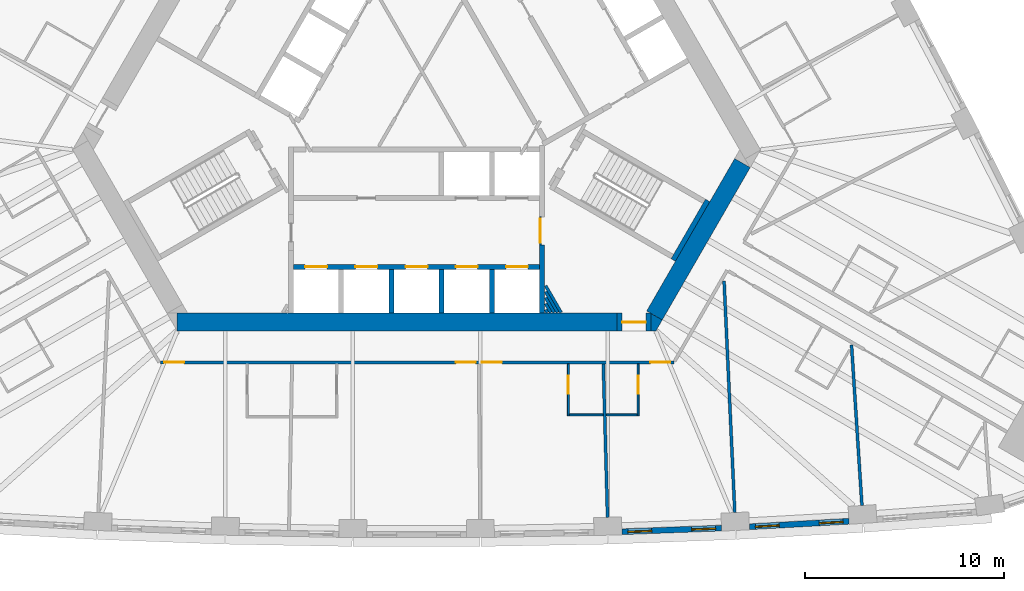
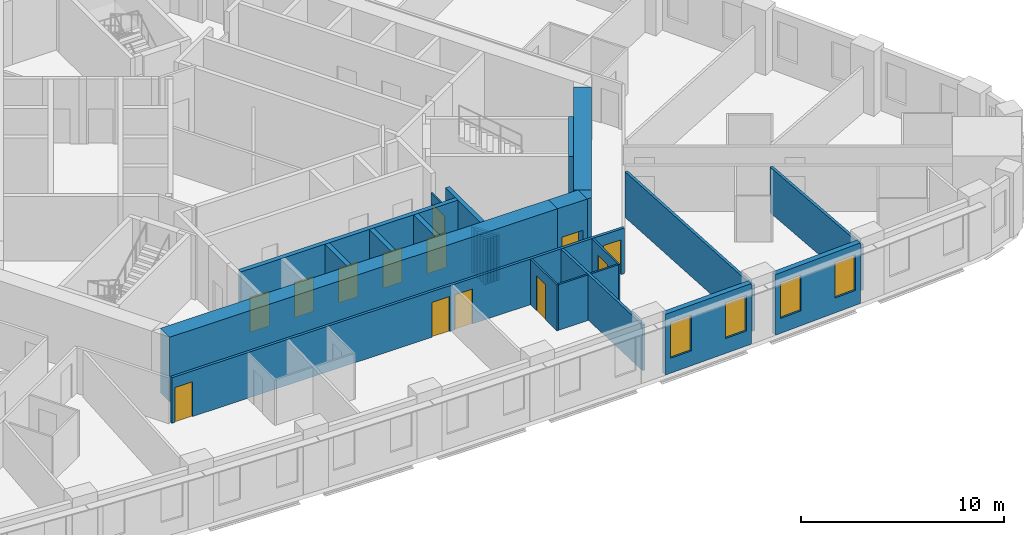
# One storey, part 6 of 13: 26 walls, 13 doors, 4 windows, 17 openings.
"""IFC4 building model written with IfcOpenShell, lengths in metres."""

from ifc_helpers import new_model, si_unit, direction, frame, frame_2d, origin, place, context, subcontext, project, spatial, polyline, rectangle, outline, extrude, material, layer, layer_set, type_object, element, fill, save


model = new_model("IFC4")

# Units and contexts
model_context = context("Model", 3, precision=1e-05, world=origin(), true_north=direction((0.0, 1.0)))
body_context = subcontext(model_context, "Body", "Model", "MODEL_VIEW")
ifc_project = project(units=[si_unit("LENGTHUNIT", "METRE"), si_unit("AREAUNIT", "SQUARE_METRE"), si_unit("VOLUMEUNIT", "CUBIC_METRE"), si_unit("PLANEANGLEUNIT", "RADIAN"), si_unit("MASSUNIT", "GRAM", prefix="KILO")], contexts=[model_context])

# Site, building, storey
site_placement = place(None, origin())
site = spatial("IfcSite", under=ifc_project, at=site_placement, CompositionType="ELEMENT")
building_placement = place(site_placement, origin())
building = spatial("IfcBuilding", under=site, at=building_placement, Name="Mestral Congress Tower", CompositionType="ELEMENT")
storey_placement = place(building_placement, frame((0.0, 0.0, 51.0)))
storey = spatial("IfcBuildingStorey", under=building, at=storey_placement, Name="L11", CompositionType="ELEMENT", Elevation=51.0)

# Walls
ifc_material_1 = material(Name="Fire-rated board partition")
ifc_layer_1 = layer(ifc_material_1, 0.14990234375)
ifc_layer_set_1 = layer_set([ifc_layer_1], Name="Fire-rated board partition")
wall_type_1 = type_object("IfcWallType", Name="Core partition 150", PredefinedType="PARTITIONING", material=ifc_layer_set_1)
wall_1_placement = place(storey_placement, frame((6.47998046875, -10.7255859375, 0.0), z_axis=(0.0, 0.0, 1.0), x_axis=(0.500017819788, -0.86601511528, 0.0)))
element("IfcWall", 1, at=wall_1_placement, inside=storey, type_object=wall_type_1, Name="L11 core wall", PredefinedType="PARTITIONING", context=body_context, shape_type="SweptSolid", body=[
    extrude(rectangle(XDim=1.55029296875, YDim=0.14990234375, at=frame_2d((0.775146484375, 0.0))), origin(), (0.0, 0.0, 1.0), 2.75),
])
wall_2_placement = place(storey_placement, frame((6.47998046875, -11.025634765625, 0.0), z_axis=(0.0, 0.0, 1.0), x_axis=(0.49995654735, -0.86605048973, 0.0)))
element("IfcWall", 2, at=wall_2_placement, inside=storey, type_object=wall_type_1, Name="L11 core wall", PredefinedType="PARTITIONING", context=body_context, shape_type="SweptSolid", body=[
    extrude(rectangle(XDim=1.20361328125, YDim=0.14990234375, at=frame_2d((0.601806640625, 0.0))), origin(), (0.0, 0.0, 1.0), 2.75),
])
wall_3_placement = place(storey_placement, frame((6.47998046875, -11.32568359375, 0.0), z_axis=(0.0, 0.0, 1.0), x_axis=(0.500059337743, -0.865991142412, 0.0)))
element("IfcWall", 3, at=wall_3_placement, inside=storey, type_object=wall_type_1, Name="L11 core wall", PredefinedType="PARTITIONING", context=body_context, shape_type="SweptSolid", body=[
    extrude(rectangle(XDim=0.857421875, YDim=0.14990234375, at=frame_2d((0.4287109375, 0.0))), origin(), (0.0, 0.0, 1.0), 2.75),
])
wall_4_placement = place(storey_placement, frame((6.47998046875, -11.625732421875, 0.0), z_axis=(0.0, 0.0, 1.0), x_axis=(0.500301480982, -0.865851273677, 0.0)))
element("IfcWall", 4, at=wall_4_placement, inside=storey, type_object=wall_type_1, Name="L11 core wall", PredefinedType="PARTITIONING", context=body_context, shape_type="SweptSolid", body=[
    extrude(rectangle(XDim=0.510986328125, YDim=0.14990234375, at=frame_2d((0.25537109375, 0.0))), origin(), (0.0, 0.0, 1.0), 2.75),
])
wall_5_placement = place(storey_placement, frame((6.47998046875, -11.92578125, 0.0), z_axis=(0.0, 0.0, 1.0), x_axis=(0.500450775723, -0.86576499183, 0.0)))
element("IfcWall", 5, at=wall_5_placement, inside=storey, type_object=wall_type_1, Name="L11 core wall", PredefinedType="PARTITIONING", context=body_context, shape_type="SweptSolid", body=[
    extrude(rectangle(XDim=0.164306640625, YDim=0.14990234375, at=frame_2d((0.08203125, 0.0))), origin(), (0.0, 0.0, 1.0), 2.75),
])

# Wall, opening, door
ifc_layer_2 = layer(ifc_material_1, 0.090087890625)
ifc_layer_set_2 = layer_set([ifc_layer_2], Name="Fire-rated board partition")
wall_type_2 = type_object("IfcWallType", Name="Core partition 150 door-wall 90", PredefinedType="PARTITIONING", material=ifc_layer_set_2)
wall_6_placement = place(storey_placement, frame((6.219970703125, -7.266357421875, 0.0), z_axis=(0.0, 0.0, 1.0), x_axis=(0.0, -1.0, 0.0)))
wall_6 = element("IfcWall", 6, at=wall_6_placement, inside=storey, type_object=wall_type_2, Name="L11 door wall", PredefinedType="PARTITIONING", context=body_context, shape_type="SweptSolid", body=[
    extrude(rectangle(XDim=1.400146484375, YDim=0.090087890625, at=frame_2d((0.7001953125, 0.0))), origin(), (0.0, 0.0, 1.0), 2.75),
])
opening_1_placement = place(wall_6_placement, frame((0.10009765625, 0.0, 0.0)))
opening_1 = element("IfcOpeningElement", 7, at=opening_1_placement, cuts=wall_6, Name="Opening LB0-WL1", PredefinedType="OPENING", context=body_context, shape_type="SweptSolid", body=[
    extrude(rectangle(XDim=1.199951171875, YDim=2.10009765625, at=frame_2d((0.60009765625, 1.050048828125))), frame((0.0, 0.054931640625, 0.0), z_axis=(0.0, -1.0, 0.0), x_axis=(1.0, 0.0, 0.0)), (0.0, 0.0, 1.0), 0.110107421875),
])
ifc_material_2 = material(Name="Fire-rated steel door set", Category="steel")
door_type_1 = type_object("IfcDoorType", Name="Core door LB 1200x2100", OperationType="SINGLE_SWING_LEFT", PredefinedType="DOOR", material=ifc_material_2)
door_1_placement = place(opening_1_placement, origin())
door_1 = element("IfcDoor", 8, at=door_1_placement, inside=storey, type_object=door_type_1, Name="Door LB0-WL1", OperationType="SINGLE_SWING_LEFT", OverallHeight=2.10009765625, OverallWidth=1.199951171875, PredefinedType="DOOR", context=body_context, shape_type="SweptSolid", body=[
    extrude(rectangle(XDim=1.199951171875, YDim=2.10009765625, at=frame_2d((0.60009765625, 1.050048828125))), frame((0.0, 0.02490234375, 0.0), z_axis=(0.0, -1.0, 0.0), x_axis=(1.0, 0.0, 0.0)), (0.0, 0.0, 1.0), 0.050048828125),
])
fill(opening_1, door_1)

# Walls
ifc_material_3 = material(Name="Concrete C60/75", Category="concrete")
ifc_layer_3 = layer(ifc_material_3, 0.89990234375)
ifc_layer_set_3 = layer_set([ifc_layer_3], Name="Concrete C60/75")
wall_type_3 = type_object("IfcWallType", Name="Core wall RC 900", PredefinedType="SOLIDWALL", material=ifc_layer_set_3)
wall_7_placement = place(storey_placement, frame((11.943115234375, -12.214111328125, 0.0), z_axis=(0.0, 0.0, 1.0), x_axis=(0.49998092645, 0.866036415623, 0.0)))
element("IfcWall", 9, at=wall_7_placement, inside=storey, type_object=wall_type_3, Name="L11 core wall", PredefinedType="SOLIDWALL", context=body_context, shape_type="SweptSolid", body=[
    extrude(rectangle(XDim=8.830322265625, YDim=0.89990234375, at=frame_2d((4.4150390625, 0.0))), origin(), (0.0, 0.0, 1.0), 3.89990234375),
])
wall_8_placement = place(storey_placement, origin())
element("IfcWall", 10, at=wall_8_placement, inside=storey, type_object=wall_type_3, Name="L11 core wall", PredefinedType="SOLIDWALL", context=body_context, shape_type="SweptSolid", body=[
    extrude(outline(polyline([(12.0087890625, -13.0), (11.764404296875, -13.0), (11.764404296875, -12.11328125), (12.331787109375, -12.440673828125), (12.0087890625, -13.0)])), origin(), (0.0, 0.0, 1.0), 3.89990234375),
])
wall_9_placement = place(storey_placement, frame((-12.0185546875, -12.550048828125, 0.0), z_axis=(0.0, 0.0, 1.0), x_axis=(1.0, 0.0, 0.0)))
element("IfcWall", 11, at=wall_9_placement, inside=storey, type_object=wall_type_3, Name="L11 core wall", PredefinedType="SOLIDWALL", context=body_context, shape_type="SweptSolid", body=[
    extrude(rectangle(XDim=22.082763671875, YDim=0.89990234375, at=frame_2d((11.04150390625, 0.0))), origin(), (0.0, 0.0, 1.0), 3.89990234375),
])

# Wall, opening, door
wall_10_placement = place(storey_placement, frame((11.764404296875, -12.550048828125, 0.0), z_axis=(0.0, 0.0, 1.0), x_axis=(-1.0, 0.0, 0.0)))
wall_10 = element("IfcWall", 12, at=wall_10_placement, inside=storey, type_object=wall_type_3, Name="L11 door wall", PredefinedType="SOLIDWALL", context=body_context, shape_type="SweptSolid", body=[
    extrude(rectangle(XDim=1.699951171875, YDim=0.89990234375, at=frame_2d((0.85009765625, 0.0))), origin(), (0.0, 0.0, 1.0), 3.89990234375),
])
opening_2_placement = place(wall_10_placement, frame((0.25, 0.0, 0.0)))
opening_2 = element("IfcOpeningElement", 13, at=opening_2_placement, cuts=wall_10, Name="Opening XD1", PredefinedType="OPENING", context=body_context, shape_type="SweptSolid", body=[
    extrude(rectangle(XDim=1.199951171875, YDim=2.10009765625, at=frame_2d((0.60009765625, 1.050048828125))), frame((0.0, 0.4599609375, 0.0), z_axis=(0.0, -1.0, 0.0), x_axis=(1.0, 0.0, 0.0)), (0.0, 0.0, 1.0), 0.919921875),
])
door_type_2 = type_object("IfcDoorType", Name="Core door XD 1200x2100", OperationType="SINGLE_SWING_LEFT", PredefinedType="DOOR", material=ifc_material_2)
door_2_placement = place(opening_2_placement, origin())
door_2 = element("IfcDoor", 14, at=door_2_placement, inside=storey, type_object=door_type_2, Name="Door XD1", OperationType="SINGLE_SWING_LEFT", OverallHeight=2.10009765625, OverallWidth=1.199951171875, PredefinedType="DOOR", context=body_context, shape_type="SweptSolid", body=[
    extrude(rectangle(XDim=1.199951171875, YDim=2.10009765625, at=frame_2d((0.60009765625, 1.050048828125))), frame((0.0, 0.02490234375, 0.0), z_axis=(0.0, -1.0, 0.0), x_axis=(1.0, 0.0, 0.0)), (0.0, 0.0, 1.0), 0.050048828125),
])
fill(opening_2, door_2)

# Wall, openings, windows
ifc_material_4 = material(Name="Precast concrete C40/50 with limestone facing", Category="masonry")
ifc_layer_4 = layer(ifc_material_4, 0.2900390625)
ifc_layer_set_4 = layer_set([ifc_layer_4], Name="Precast concrete C40/50 with limestone facing")
wall_type_4 = type_object("IfcWallType", Name="Facade stone wall 290", PredefinedType="SOLIDWALL", material=ifc_layer_set_4)
wall_11_placement = place(storey_placement, frame((10.310302734375, -23.07373046875, 0.0), z_axis=(0.0, 0.0, 1.0), x_axis=(0.999317974969, 0.036926750529, 0.0)))
wall_11 = element("IfcWall", 15, at=wall_11_placement, inside=storey, type_object=wall_type_4, Name="Facade wall F0-06", PredefinedType="SOLIDWALL", context=body_context, shape_type="SweptSolid", body=[
    extrude(rectangle(XDim=4.998291015625, YDim=0.2900390625, at=frame_2d((2.4990234375, 0.0))), origin(), (0.0, 0.0, 1.0), 3.64990234375),
])
opening_3_placement = place(wall_11_placement, frame((0.297119140625, 0.0, 0.89990234375)))
opening_3 = element("IfcOpeningElement", 16, at=opening_3_placement, cuts=wall_11, Name="Opening W1", PredefinedType="OPENING", context=body_context, shape_type="SweptSolid", body=[
    extrude(rectangle(XDim=1.199951171875, YDim=2.14990234375, at=frame_2d((0.60009765625, 1.074951171875))), frame((0.0, 0.155029296875, 0.0), z_axis=(0.0, -1.0, 0.0), x_axis=(1.0, 0.0, 0.0)), (0.0, 0.0, 1.0), 0.31005859375),
])
opening_4_placement = place(wall_11_placement, frame((3.501220703125, 0.0, 0.89990234375)))
opening_4 = element("IfcOpeningElement", 17, at=opening_4_placement, cuts=wall_11, Name="Opening W1", PredefinedType="OPENING", context=body_context, shape_type="SweptSolid", body=[
    extrude(rectangle(XDim=1.199951171875, YDim=2.14990234375, at=frame_2d((0.60009765625, 1.074951171875))), frame((0.0, 0.155029296875, 0.0), z_axis=(0.0, -1.0, 0.0), x_axis=(1.0, 0.0, 0.0)), (0.0, 0.0, 1.0), 0.31005859375),
])
ifc_material_5 = material(Name="Clear low-emissivity double glazing", Category="glass")
window_type = type_object("IfcWindowType", Name="Facade punched window 1200 x 2150 sill 900", PartitioningType="DOUBLE_PANEL_VERTICAL", PredefinedType="WINDOW", material=ifc_material_5)
window_1_placement = place(opening_3_placement, origin())
window_1 = element("IfcWindow", 18, at=window_1_placement, inside=storey, type_object=window_type, Name="Window F0-06a", OverallHeight=2.14990234375, OverallWidth=1.199951171875, PartitioningType="DOUBLE_PANEL_VERTICAL", PredefinedType="WINDOW", context=body_context, shape_type="SweptSolid", body=[
    extrude(rectangle(XDim=1.199951171875, YDim=2.14990234375, at=frame_2d((0.60009765625, 1.074951171875))), frame((0.0, 0.01513671875, 0.0), z_axis=(0.0, -1.0, 0.0), x_axis=(1.0, 0.0, 0.0)), (0.0, 0.0, 1.0), 0.06005859375),
])
fill(opening_3, window_1)
window_2_placement = place(opening_4_placement, origin())
window_2 = element("IfcWindow", 19, at=window_2_placement, inside=storey, type_object=window_type, Name="Window F0-06b", OverallHeight=2.14990234375, OverallWidth=1.199951171875, PartitioningType="DOUBLE_PANEL_VERTICAL", PredefinedType="WINDOW", context=body_context, shape_type="SweptSolid", body=[
    extrude(rectangle(XDim=1.199951171875, YDim=2.14990234375, at=frame_2d((0.60009765625, 1.074951171875))), frame((0.0, 0.01513671875, 0.0), z_axis=(0.0, -1.0, 0.0), x_axis=(1.0, 0.0, 0.0)), (0.0, 0.0, 1.0), 0.06005859375),
])
fill(opening_4, window_2)

wall_12_placement = place(storey_placement, frame((16.7109375, -22.823974609375, 0.0), z_axis=(0.0, 0.0, 1.0), x_axis=(0.998464708705, 0.055391564976, 0.0)))
wall_12 = element("IfcWall", 20, at=wall_12_placement, inside=storey, type_object=wall_type_4, Name="Facade wall F0-07", PredefinedType="SOLIDWALL", context=body_context, shape_type="SweptSolid", body=[
    extrude(rectangle(XDim=4.998046875, YDim=0.2900390625, at=frame_2d((2.4990234375, 0.0))), origin(), (0.0, 0.0, 1.0), 3.64990234375),
])
opening_5_placement = place(wall_12_placement, frame((0.297119140625, 0.0, 0.89990234375)))
opening_5 = element("IfcOpeningElement", 21, at=opening_5_placement, cuts=wall_12, Name="Opening W1", PredefinedType="OPENING", context=body_context, shape_type="SweptSolid", body=[
    extrude(rectangle(XDim=1.199951171875, YDim=2.14990234375, at=frame_2d((0.60009765625, 1.074951171875))), frame((0.0, 0.155029296875, 0.0), z_axis=(0.0, -1.0, 0.0), x_axis=(1.0, 0.0, 0.0)), (0.0, 0.0, 1.0), 0.31005859375),
])
opening_6_placement = place(wall_12_placement, frame((3.501220703125, 0.0, 0.89990234375)))
opening_6 = element("IfcOpeningElement", 22, at=opening_6_placement, cuts=wall_12, Name="Opening W1", PredefinedType="OPENING", context=body_context, shape_type="SweptSolid", body=[
    extrude(rectangle(XDim=1.199951171875, YDim=2.14990234375, at=frame_2d((0.60009765625, 1.074951171875))), frame((0.0, 0.155029296875, 0.0), z_axis=(0.0, -1.0, 0.0), x_axis=(1.0, 0.0, 0.0)), (0.0, 0.0, 1.0), 0.31005859375),
])
window_3_placement = place(opening_5_placement, origin())
window_3 = element("IfcWindow", 23, at=window_3_placement, inside=storey, type_object=window_type, Name="Window F0-07a", OverallHeight=2.14990234375, OverallWidth=1.199951171875, PartitioningType="DOUBLE_PANEL_VERTICAL", PredefinedType="WINDOW", context=body_context, shape_type="SweptSolid", body=[
    extrude(rectangle(XDim=1.199951171875, YDim=2.14990234375, at=frame_2d((0.60009765625, 1.074951171875))), frame((0.0, 0.01513671875, 0.0), z_axis=(0.0, -1.0, 0.0), x_axis=(1.0, 0.0, 0.0)), (0.0, 0.0, 1.0), 0.06005859375),
])
fill(opening_5, window_3)
window_4_placement = place(opening_6_placement, origin())
window_4 = element("IfcWindow", 24, at=window_4_placement, inside=storey, type_object=window_type, Name="Window F0-07b", OverallHeight=2.14990234375, OverallWidth=1.199951171875, PartitioningType="DOUBLE_PANEL_VERTICAL", PredefinedType="WINDOW", context=body_context, shape_type="SweptSolid", body=[
    extrude(rectangle(XDim=1.199951171875, YDim=2.14990234375, at=frame_2d((0.60009765625, 1.074951171875))), frame((0.0, 0.01513671875, 0.0), z_axis=(0.0, -1.0, 0.0), x_axis=(1.0, 0.0, 0.0)), (0.0, 0.0, 1.0), 0.06005859375),
])
fill(opening_6, window_4)

# Wall, opening, door
ifc_material_6 = material(Name="Gypsum board partition on metal studs with mineral wool", Category="composite")
ifc_layer_5 = layer(ifc_material_6, 0.10009765625)
ifc_layer_set_5 = layer_set([ifc_layer_5], Name="Gypsum board partition on metal studs with mineral wool")
wall_type_5 = type_object("IfcWallType", Name="Hotel partition wall 100", PredefinedType="PARTITIONING", material=ifc_layer_set_5)
wall_13_placement = place(storey_placement, frame((7.619140625, -14.64990234375, 0.0), z_axis=(0.0, 0.0, 1.0), x_axis=(0.0, -1.0, 0.0)))
wall_13 = element("IfcWall", 25, at=wall_13_placement, inside=storey, type_object=wall_type_5, Name="L11-h-pod05a", PredefinedType="PARTITIONING", context=body_context, shape_type="SweptSolid", body=[
    extrude(rectangle(XDim=2.60009765625, YDim=0.10009765625, at=frame_2d((1.300048828125, 0.0))), origin(), (0.0, 0.0, 1.0), 2.75),
])
opening_7_placement = place(wall_13_placement, frame((0.60009765625, 0.0, 0.0)))
opening_7 = element("IfcOpeningElement", 26, at=opening_7_placement, cuts=wall_13, Name="Opening H03-010", PredefinedType="OPENING", context=body_context, shape_type="SweptSolid", body=[
    extrude(rectangle(XDim=0.89990234375, YDim=2.10009765625, at=frame_2d((0.449951171875, 1.050048828125))), frame((0.0, 0.06005859375, 0.0), z_axis=(0.0, -1.0, 0.0), x_axis=(1.0, 0.0, 0.0)), (0.0, 0.0, 1.0), 0.1201171875),
])
ifc_material_7 = material(Name="Timber veneer door leaf in timber frame", Category="wood")
door_type_3 = type_object("IfcDoorType", Name="Bathroom door 900", OperationType="SINGLE_SWING_LEFT", PredefinedType="DOOR", material=ifc_material_7)
door_3_placement = place(opening_7_placement, origin())
door_3 = element("IfcDoor", 27, at=door_3_placement, inside=storey, type_object=door_type_3, Name="L11-h-d010", OperationType="SINGLE_SWING_LEFT", OverallHeight=2.10009765625, OverallWidth=0.89990234375, PredefinedType="DOOR", context=body_context, shape_type="SweptSolid", body=[
    extrude(rectangle(XDim=0.89990234375, YDim=2.10009765625, at=frame_2d((0.449951171875, 1.050048828125))), frame((0.0, 0.02490234375, 0.0), z_axis=(0.0, -1.0, 0.0), x_axis=(1.0, 0.0, 0.0)), (0.0, 0.0, 1.0), 0.050048828125),
])
fill(opening_7, door_3)

# Wall
wall_14_placement = place(storey_placement, frame((7.669189453125, -17.199951171875, 0.0), z_axis=(0.0, 0.0, 1.0), x_axis=(1.0, 0.0, 0.0)))
element("IfcWall", 28, at=wall_14_placement, inside=storey, type_object=wall_type_5, Name="L11-h-pod05b", PredefinedType="PARTITIONING", context=body_context, shape_type="SweptSolid", body=[
    extrude(rectangle(XDim=1.68994140625, YDim=0.10009765625, at=frame_2d((0.844970703125, 0.0))), origin(), (0.0, 0.0, 1.0), 2.75),
])

# Wall, opening, door
wall_15_placement = place(storey_placement, frame((11.126708984375, -17.25, 0.0), z_axis=(0.0, 0.0, 1.0), x_axis=(0.0, 1.0, 0.0)))
wall_15 = element("IfcWall", 29, at=wall_15_placement, inside=storey, type_object=wall_type_5, Name="L11-h-pod06a", PredefinedType="PARTITIONING", context=body_context, shape_type="SweptSolid", body=[
    extrude(rectangle(XDim=2.60009765625, YDim=0.10009765625, at=frame_2d((1.300048828125, 0.0))), origin(), (0.0, 0.0, 1.0), 2.75),
])
opening_8_placement = place(wall_15_placement, frame((1.10009765625, 0.0, 0.0)))
opening_8 = element("IfcOpeningElement", 30, at=opening_8_placement, cuts=wall_15, Name="Opening H03-012", PredefinedType="OPENING", context=body_context, shape_type="SweptSolid", body=[
    extrude(rectangle(XDim=0.89990234375, YDim=2.10009765625, at=frame_2d((0.449951171875, 1.050048828125))), frame((0.0, 0.06005859375, 0.0), z_axis=(0.0, -1.0, 0.0), x_axis=(1.0, 0.0, 0.0)), (0.0, 0.0, 1.0), 0.1201171875),
])
door_4_placement = place(opening_8_placement, origin())
door_4 = element("IfcDoor", 31, at=door_4_placement, inside=storey, type_object=door_type_3, Name="L11-h-d012", OperationType="SINGLE_SWING_RIGHT", OverallHeight=2.10009765625, OverallWidth=0.89990234375, PredefinedType="DOOR", context=body_context, shape_type="SweptSolid", body=[
    extrude(rectangle(XDim=0.89990234375, YDim=2.10009765625, at=frame_2d((0.449951171875, 1.050048828125))), frame((0.0, 0.02490234375, 0.0), z_axis=(0.0, -1.0, 0.0), x_axis=(1.0, 0.0, 0.0)), (0.0, 0.0, 1.0), 0.050048828125),
])
fill(opening_8, door_4)

# Wall
wall_16_placement = place(storey_placement, frame((11.07666015625, -17.199951171875, 0.0), z_axis=(0.0, 0.0, 1.0), x_axis=(-1.0, 0.0, 0.0)))
element("IfcWall", 32, at=wall_16_placement, inside=storey, type_object=wall_type_5, Name="L11-h-pod06b", PredefinedType="PARTITIONING", context=body_context, shape_type="SweptSolid", body=[
    extrude(rectangle(XDim=1.550048828125, YDim=0.10009765625, at=frame_2d((0.77490234375, 0.0))), origin(), (0.0, 0.0, 1.0), 2.75),
])

# Wall, openings, doors
ifc_layer_6 = layer(ifc_material_6, 0.14990234375)
ifc_layer_set_6 = layer_set([ifc_layer_6], Name="Gypsum board partition on metal studs with mineral wool")
wall_type_6 = type_object("IfcWallType", Name="Hotel partition wall 150", PredefinedType="PARTITIONING", material=ifc_layer_set_6)
wall_17_placement = place(storey_placement, frame((12.918212890625, -14.574951171875, 0.0), z_axis=(0.0, 0.0, 1.0), x_axis=(-1.0, 0.0, 0.0)))
wall_17 = element("IfcWall", 33, at=wall_17_placement, inside=storey, type_object=wall_type_6, Name="L11-h-cw13", PredefinedType="PARTITIONING", context=body_context, shape_type="SweptSolid", body=[
    extrude(rectangle(XDim=25.766357421875, YDim=0.14990234375, at=frame_2d((12.88330078125, 0.0))), origin(), (0.0, 0.0, 1.0), 2.75),
])
opening_9_placement = place(wall_17_placement, frame((24.58642578125, 0.0, 0.0)))
opening_9 = element("IfcOpeningElement", 34, at=opening_9_placement, cuts=wall_17, Name="Opening H03-005", PredefinedType="OPENING", context=body_context, shape_type="SweptSolid", body=[
    extrude(rectangle(XDim=1.0, YDim=2.10009765625, at=frame_2d((0.5, 1.050048828125))), frame((0.0, 0.0849609375, 0.0), z_axis=(0.0, -1.0, 0.0), x_axis=(1.0, 0.0, 0.0)), (0.0, 0.0, 1.0), 0.169921875),
])
opening_10_placement = place(wall_17_placement, frame((9.947998046875, 0.0, 0.0)))
opening_10 = element("IfcOpeningElement", 35, at=opening_10_placement, cuts=wall_17, Name="Opening H03-007", PredefinedType="OPENING", context=body_context, shape_type="SweptSolid", body=[
    extrude(rectangle(XDim=1.0, YDim=2.10009765625, at=frame_2d((0.5, 1.050048828125))), frame((0.0, 0.0849609375, 0.0), z_axis=(0.0, -1.0, 0.0), x_axis=(1.0, 0.0, 0.0)), (0.0, 0.0, 1.0), 0.169921875),
])
opening_11_placement = place(wall_17_placement, frame((8.6416015625, 0.0, 0.0)))
opening_11 = element("IfcOpeningElement", 36, at=opening_11_placement, cuts=wall_17, Name="Opening H03-009", PredefinedType="OPENING", context=body_context, shape_type="SweptSolid", body=[
    extrude(rectangle(XDim=1.0, YDim=2.10009765625, at=frame_2d((0.5, 1.050048828125))), frame((0.0, 0.0849609375, 0.0), z_axis=(0.0, -1.0, 0.0), x_axis=(1.0, 0.0, 0.0)), (0.0, 0.0, 1.0), 0.169921875),
])
opening_12_placement = place(wall_17_placement, frame((0.179931640625, 0.0, 0.0)))
opening_12 = element("IfcOpeningElement", 37, at=opening_12_placement, cuts=wall_17, Name="Opening H03-011", PredefinedType="OPENING", context=body_context, shape_type="SweptSolid", body=[
    extrude(rectangle(XDim=1.0, YDim=2.10009765625, at=frame_2d((0.5, 1.050048828125))), frame((0.0, 0.0849609375, 0.0), z_axis=(0.0, -1.0, 0.0), x_axis=(1.0, 0.0, 0.0)), (0.0, 0.0, 1.0), 0.169921875),
])
ifc_material_8 = material(Name="Timber veneer door leaf in metal frame", Category="wood")
door_type_4 = type_object("IfcDoorType", Name="Guest room entrance door 1000", OperationType="SINGLE_SWING_LEFT", PredefinedType="DOOR", material=ifc_material_8)
door_5_placement = place(opening_9_placement, origin())
door_5 = element("IfcDoor", 38, at=door_5_placement, inside=storey, type_object=door_type_4, Name="L11-h-d005", OperationType="SINGLE_SWING_RIGHT", OverallHeight=2.10009765625, OverallWidth=1.0, PredefinedType="DOOR", context=body_context, shape_type="SweptSolid", body=[
    extrude(rectangle(XDim=1.0, YDim=2.10009765625, at=frame_2d((0.5, 1.050048828125))), frame((0.0, 0.02490234375, 0.0), z_axis=(0.0, -1.0, 0.0), x_axis=(1.0, 0.0, 0.0)), (0.0, 0.0, 1.0), 0.050048828125),
])
fill(opening_9, door_5)
door_6_placement = place(opening_10_placement, origin())
door_6 = element("IfcDoor", 39, at=door_6_placement, inside=storey, type_object=door_type_4, Name="L11-h-d007", OperationType="SINGLE_SWING_LEFT", OverallHeight=2.10009765625, OverallWidth=1.0, PredefinedType="DOOR", context=body_context, shape_type="SweptSolid", body=[
    extrude(rectangle(XDim=1.0, YDim=2.10009765625, at=frame_2d((0.5, 1.050048828125))), frame((0.0, 0.02490234375, 0.0), z_axis=(0.0, -1.0, 0.0), x_axis=(1.0, 0.0, 0.0)), (0.0, 0.0, 1.0), 0.050048828125),
])
fill(opening_10, door_6)
door_7_placement = place(opening_11_placement, origin())
door_7 = element("IfcDoor", 40, at=door_7_placement, inside=storey, type_object=door_type_4, Name="L11-h-d009", OperationType="SINGLE_SWING_RIGHT", OverallHeight=2.10009765625, OverallWidth=1.0, PredefinedType="DOOR", context=body_context, shape_type="SweptSolid", body=[
    extrude(rectangle(XDim=1.0, YDim=2.10009765625, at=frame_2d((0.5, 1.050048828125))), frame((0.0, 0.02490234375, 0.0), z_axis=(0.0, -1.0, 0.0), x_axis=(1.0, 0.0, 0.0)), (0.0, 0.0, 1.0), 0.050048828125),
])
fill(opening_11, door_7)
door_8_placement = place(opening_12_placement, origin())
door_8 = element("IfcDoor", 41, at=door_8_placement, inside=storey, type_object=door_type_4, Name="L11-h-d011", OperationType="SINGLE_SWING_LEFT", OverallHeight=2.10009765625, OverallWidth=1.0, PredefinedType="DOOR", context=body_context, shape_type="SweptSolid", body=[
    extrude(rectangle(XDim=1.0, YDim=2.10009765625, at=frame_2d((0.5, 1.050048828125))), frame((0.0, 0.02490234375, 0.0), z_axis=(0.0, -1.0, 0.0), x_axis=(1.0, 0.0, 0.0)), (0.0, 0.0, 1.0), 0.050048828125),
])
fill(opening_12, door_8)

# Walls
wall_18_placement = place(storey_placement, frame((9.586181640625, -22.34521484375, 0.0), z_axis=(0.0, 0.0, 1.0), x_axis=(-0.027722115646, 0.999615668297, 0.0)))
element("IfcWall", 42, at=wall_18_placement, inside=storey, type_object=wall_type_6, Name="L11-h-pw19", PredefinedType="PARTITIONING", context=body_context, shape_type="SweptSolid", body=[
    extrude(rectangle(XDim=7.688232421875, YDim=0.14990234375, at=frame_2d((3.84423828125, 0.0))), origin(), (0.0, 0.0, 1.0), 2.75),
])
wall_19_placement = place(storey_placement, frame((15.973388671875, -22.10888671875, 0.0), z_axis=(0.0, 0.0, 1.0), x_axis=(-0.046191717129, 0.998932592955, 0.0)))
element("IfcWall", 43, at=wall_19_placement, inside=storey, type_object=wall_type_6, Name="L11-h-pw22", PredefinedType="PARTITIONING", context=body_context, shape_type="SweptSolid", body=[
    extrude(rectangle(XDim=11.638427734375, YDim=0.14990234375, at=frame_2d((5.8193359375, 0.0))), origin(), (0.0, 0.0, 1.0), 2.75),
])
wall_20_placement = place(storey_placement, frame((22.355224609375, -21.75439453125, 0.0), z_axis=(0.0, 0.0, 1.0), x_axis=(-0.064639533143, 0.997908678565, 0.0)))
element("IfcWall", 44, at=wall_20_placement, inside=storey, type_object=wall_type_6, Name="L11-h-pw25", PredefinedType="PARTITIONING", context=body_context, shape_type="SweptSolid", body=[
    extrude(rectangle(XDim=8.078857421875, YDim=0.14990234375, at=frame_2d((4.03955078125, 0.0))), origin(), (0.0, 0.0, 1.0), 2.75),
])
ifc_layer_7 = layer(ifc_material_3, 0.25)
ifc_layer_set_7 = layer_set([ifc_layer_7], Name="Concrete C60/75")
wall_type_7 = type_object("IfcWallType", Name="Shaft wall RC 250", PredefinedType="SOLIDWALL", material=ifc_layer_set_7)
wall_21_placement = place(storey_placement, frame((6.300048828125, -12.10009765625, 0.0), z_axis=(0.0, 0.0, 1.0), x_axis=(0.0, 1.0, 0.0)))
element("IfcWall", 45, at=wall_21_placement, inside=storey, type_object=wall_type_7, Name="L11 core wall", PredefinedType="SOLIDWALL", context=body_context, shape_type="SweptSolid", body=[
    extrude(rectangle(XDim=3.427978515625, YDim=0.25, at=frame_2d((1.7138671875, 0.0))), origin(), (0.0, 0.0, 1.0), 3.89990234375),
])
for number, where, z_axis, x_axis, name in (
    (46, (3.780029296875, -12.10009765625, 0.0), (0.0, 0.0, 1.0), (0.0, 1.0, 0.0), "L11 core wall"),
    (47, (1.260009765625, -12.10009765625, 0.0), (0.0, 0.0, 1.0), (0.0, 1.0, 0.0), "L11 core wall"),
    (48, (-1.260009765625, -12.10009765625, 0.0), (0.0, 0.0, 1.0), (0.0, 1.0, 0.0), "L11 core wall"),
):
    element("IfcWall", number, at=place(storey_placement, frame(where, z_axis=z_axis, x_axis=x_axis)), inside=storey, type_object=wall_type_7, Name=name, PredefinedType="SOLIDWALL", context=body_context, shape_type="SweptSolid", body=[
        extrude(rectangle(XDim=2.199951171875, YDim=0.25, at=frame_2d((1.10009765625, 0.0))), origin(), (0.0, 0.0, 1.0), 3.89990234375),
    ])

# Wall, openings, doors
wall_22_placement = place(storey_placement, frame((-6.175048828125, -9.77490234375, 0.0), z_axis=(0.0, 0.0, 1.0), x_axis=(1.0, 0.0, 0.0)))
wall_22 = element("IfcWall", 49, at=wall_22_placement, inside=storey, type_object=wall_type_7, Name="L11 door wall", PredefinedType="SOLIDWALL", context=body_context, shape_type="SweptSolid", body=[
    extrude(rectangle(XDim=12.35009765625, YDim=0.25, at=frame_2d((6.175048828125, 0.0))), origin(), (0.0, 0.0, 1.0), 3.89990234375),
])
opening_13_placement = place(wall_22_placement, frame((0.5849609375, 0.0, 0.0)))
opening_13 = element("IfcOpeningElement", 50, at=opening_13_placement, cuts=wall_22, Name="Opening LD-SOA1", PredefinedType="OPENING", context=body_context, shape_type="SweptSolid", body=[
    extrude(rectangle(XDim=1.10009765625, YDim=2.10009765625, at=frame_2d((0.550048828125, 1.050048828125))), frame((0.0, 0.135009765625, 0.0), z_axis=(0.0, -1.0, 0.0), x_axis=(1.0, 0.0, 0.0)), (0.0, 0.0, 1.0), 0.27001953125),
])
opening_14_placement = place(wall_22_placement, frame((3.10498046875, 0.0, 0.0)))
opening_14 = element("IfcOpeningElement", 51, at=opening_14_placement, cuts=wall_22, Name="Opening LD-SOA2", PredefinedType="OPENING", context=body_context, shape_type="SweptSolid", body=[
    extrude(rectangle(XDim=1.10009765625, YDim=2.10009765625, at=frame_2d((0.550048828125, 1.050048828125))), frame((0.0, 0.135009765625, 0.0), z_axis=(0.0, -1.0, 0.0), x_axis=(1.0, 0.0, 0.0)), (0.0, 0.0, 1.0), 0.27001953125),
])
opening_15_placement = place(wall_22_placement, frame((5.625, 0.0, 0.0)))
opening_15 = element("IfcOpeningElement", 52, at=opening_15_placement, cuts=wall_22, Name="Opening LD-SOA3", PredefinedType="OPENING", context=body_context, shape_type="SweptSolid", body=[
    extrude(rectangle(XDim=1.10009765625, YDim=2.10009765625, at=frame_2d((0.550048828125, 1.050048828125))), frame((0.0, 0.135009765625, 0.0), z_axis=(0.0, -1.0, 0.0), x_axis=(1.0, 0.0, 0.0)), (0.0, 0.0, 1.0), 0.27001953125),
])
opening_16_placement = place(wall_22_placement, frame((8.14501953125, 0.0, 0.0)))
opening_16 = element("IfcOpeningElement", 53, at=opening_16_placement, cuts=wall_22, Name="Opening LD-SOA4", PredefinedType="OPENING", context=body_context, shape_type="SweptSolid", body=[
    extrude(rectangle(XDim=1.10009765625, YDim=2.10009765625, at=frame_2d((0.550048828125, 1.050048828125))), frame((0.0, 0.135009765625, 0.0), z_axis=(0.0, -1.0, 0.0), x_axis=(1.0, 0.0, 0.0)), (0.0, 0.0, 1.0), 0.27001953125),
])
opening_17_placement = place(wall_22_placement, frame((10.6650390625, 0.0, 0.0)))
opening_17 = element("IfcOpeningElement", 54, at=opening_17_placement, cuts=wall_22, Name="Opening LD-SOA5", PredefinedType="OPENING", context=body_context, shape_type="SweptSolid", body=[
    extrude(rectangle(XDim=1.10009765625, YDim=2.10009765625, at=frame_2d((0.550048828125, 1.050048828125))), frame((0.0, 0.135009765625, 0.0), z_axis=(0.0, -1.0, 0.0), x_axis=(1.0, 0.0, 0.0)), (0.0, 0.0, 1.0), 0.27001953125),
])
door_type_5 = type_object("IfcDoorType", Name="Core door LD 1100x2100", OperationType="DOUBLE_DOOR_SLIDING", PredefinedType="DOOR", material=ifc_material_2)
door_9_placement = place(opening_13_placement, origin())
door_9 = element("IfcDoor", 55, at=door_9_placement, inside=storey, type_object=door_type_5, Name="Door LD-SOA1", OperationType="DOUBLE_DOOR_SLIDING", OverallHeight=2.10009765625, OverallWidth=1.10009765625, PredefinedType="DOOR", context=body_context, shape_type="SweptSolid", body=[
    extrude(rectangle(XDim=1.10009765625, YDim=2.10009765625, at=frame_2d((0.550048828125, 1.050048828125))), frame((0.0, 0.02490234375, 0.0), z_axis=(0.0, -1.0, 0.0), x_axis=(1.0, 0.0, 0.0)), (0.0, 0.0, 1.0), 0.050048828125),
])
fill(opening_13, door_9)
door_10_placement = place(opening_14_placement, origin())
door_10 = element("IfcDoor", 56, at=door_10_placement, inside=storey, type_object=door_type_5, Name="Door LD-SOA2", OperationType="DOUBLE_DOOR_SLIDING", OverallHeight=2.10009765625, OverallWidth=1.10009765625, PredefinedType="DOOR", context=body_context, shape_type="SweptSolid", body=[
    extrude(rectangle(XDim=1.10009765625, YDim=2.10009765625, at=frame_2d((0.550048828125, 1.050048828125))), frame((0.0, 0.02490234375, 0.0), z_axis=(0.0, -1.0, 0.0), x_axis=(1.0, 0.0, 0.0)), (0.0, 0.0, 1.0), 0.050048828125),
])
fill(opening_14, door_10)
door_11_placement = place(opening_15_placement, origin())
door_11 = element("IfcDoor", 57, at=door_11_placement, inside=storey, type_object=door_type_5, Name="Door LD-SOA3", OperationType="DOUBLE_DOOR_SLIDING", OverallHeight=2.10009765625, OverallWidth=1.10009765625, PredefinedType="DOOR", context=body_context, shape_type="SweptSolid", body=[
    extrude(rectangle(XDim=1.10009765625, YDim=2.10009765625, at=frame_2d((0.550048828125, 1.050048828125))), frame((0.0, 0.02490234375, 0.0), z_axis=(0.0, -1.0, 0.0), x_axis=(1.0, 0.0, 0.0)), (0.0, 0.0, 1.0), 0.050048828125),
])
fill(opening_15, door_11)
door_12_placement = place(opening_16_placement, origin())
door_12 = element("IfcDoor", 58, at=door_12_placement, inside=storey, type_object=door_type_5, Name="Door LD-SOA4", OperationType="DOUBLE_DOOR_SLIDING", OverallHeight=2.10009765625, OverallWidth=1.10009765625, PredefinedType="DOOR", context=body_context, shape_type="SweptSolid", body=[
    extrude(rectangle(XDim=1.10009765625, YDim=2.10009765625, at=frame_2d((0.550048828125, 1.050048828125))), frame((0.0, 0.02490234375, 0.0), z_axis=(0.0, -1.0, 0.0), x_axis=(1.0, 0.0, 0.0)), (0.0, 0.0, 1.0), 0.050048828125),
])
fill(opening_16, door_12)
door_13_placement = place(opening_17_placement, origin())
door_13 = element("IfcDoor", 59, at=door_13_placement, inside=storey, type_object=door_type_5, Name="Door LD-SOA5", OperationType="DOUBLE_DOOR_SLIDING", OverallHeight=2.10009765625, OverallWidth=1.10009765625, PredefinedType="DOOR", context=body_context, shape_type="SweptSolid", body=[
    extrude(rectangle(XDim=1.10009765625, YDim=2.10009765625, at=frame_2d((0.550048828125, 1.050048828125))), frame((0.0, 0.02490234375, 0.0), z_axis=(0.0, -1.0, 0.0), x_axis=(1.0, 0.0, 0.0)), (0.0, 0.0, 1.0), 0.050048828125),
])
fill(opening_17, door_13)

# Wall
ifc_layer_8 = layer(ifc_material_3, 0.25)
ifc_layer_set_8 = layer_set([ifc_layer_8], Name="Concrete C60/75")
wall_type_8 = type_object("IfcWallType", Name="Stair wall RC 250", PredefinedType="SOLIDWALL", material=ifc_layer_set_8)
wall_23_placement = place(storey_placement, frame((12.885498046875, -9.431396484375, 0.0), z_axis=(0.0, 0.0, 1.0), x_axis=(0.500020560727, 0.866013532718, 0.0)))
element("IfcWall", 60, at=wall_23_placement, inside=storey, type_object=wall_type_8, Name="L11 core wall", PredefinedType="SOLIDWALL", context=body_context, shape_type="SweptSolid", body=[
    extrude(rectangle(XDim=3.449951171875, YDim=0.25, at=frame_2d((1.72509765625, 0.0))), origin(), (0.0, 0.0, 1.0), 3.89990234375),
])

save(model, "model.ifc")
